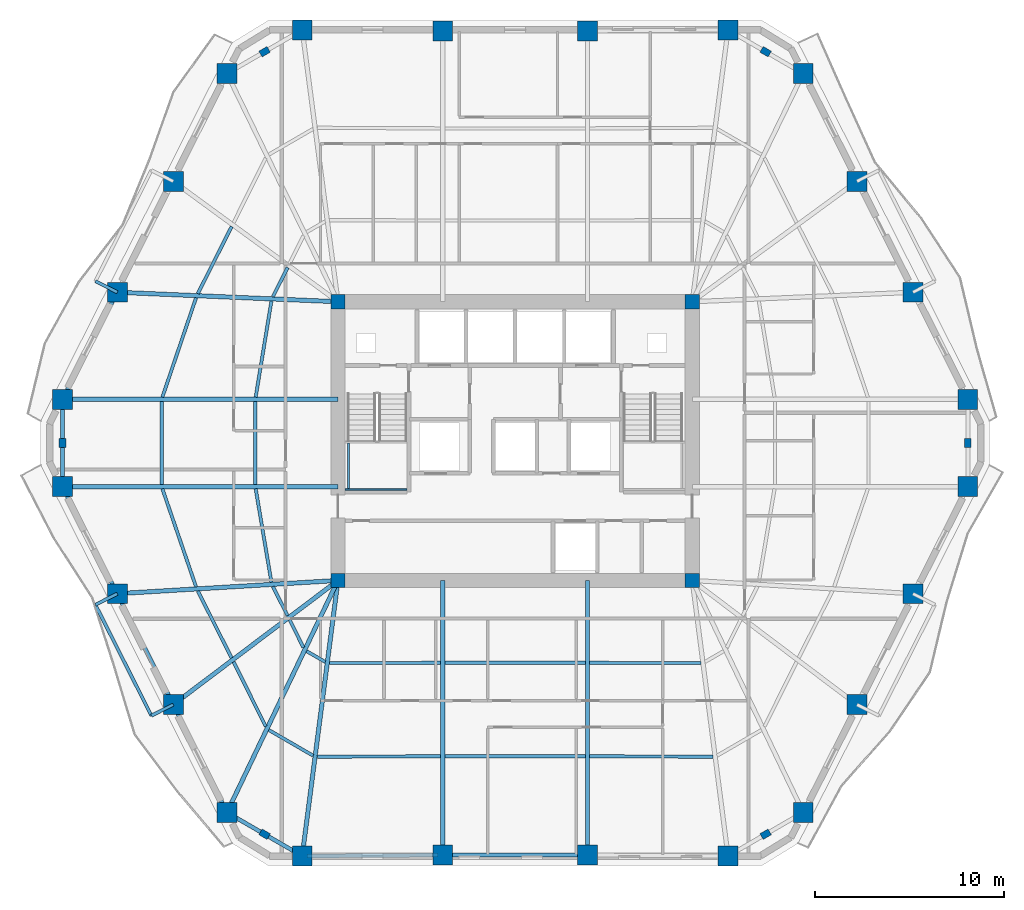
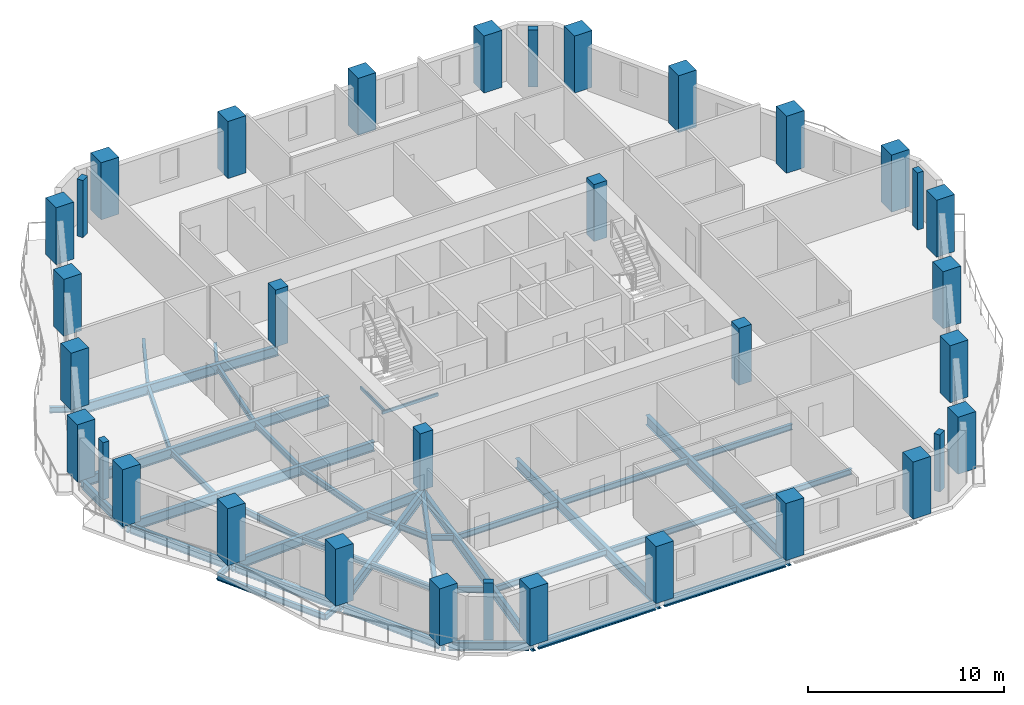
# One storey, part 1 of 11: 43 beams, 34 columns.
"""IFC4 building model written with IfcOpenShell, lengths in metres."""

import ifcopenshell
import ifcopenshell.guid

model = None  # the IFC model being written
_history = None  # IfcOwnerHistory: only IFC2X3 demands one
_inside = {}  # id of a spatial element -> (the spatial element, [elements in it])
_under = {}  # id of a project, library or spatial element -> (it, [spatial elements below it])
_declared = {}  # id of a project -> (the project, [libraries it declares])
_typed = {}  # id of a type object -> (the type object, [elements of that type])
_made_of = {}  # id of a material, layer set ... -> (it, [elements and type objects made of it])


def new_model(schema):
    """Start an empty IFC model of exactly this schema.

    Asked for "IFC4X3", IfcOpenShell would pick the latest addendum, in which some entities
    have other attributes; the version numbers below select the first issue.
    IFC2X3 requires an IfcOwnerHistory on every rooted entity: one is made here for all.
    """
    global model, _history
    if schema == "IFC4X3":
        model = ifcopenshell.file(schema_version=(4, 3, 0, 0))
    else:
        model = ifcopenshell.file(schema=schema)
    _inside.clear()
    _under.clear()
    _declared.clear()
    _typed.clear()
    _made_of.clear()
    _history = None
    if model.schema == "IFC2X3":
        org = make("IfcOrganization", Name="unknown")
        user = make(
            "IfcPersonAndOrganization",
            ThePerson=make("IfcPerson", FamilyName="unknown"),
            TheOrganization=org,
        )
        app = make(
            "IfcApplication",
            ApplicationDeveloper=org,
            Version="unknown",
            ApplicationFullName="unknown",
            ApplicationIdentifier="unknown",
        )
        _history = make(
            "IfcOwnerHistory",
            OwningUser=user,
            OwningApplication=app,
            ChangeAction="ADDED",
            CreationDate=0,
        )
    return model


def make(cls, **values):
    """One entity of the class cls with the attributes given. An attribute that is None is left unset."""
    return model.create_entity(
        cls, **{name: value for name, value in values.items() if value is not None}
    )


def rooted(cls, **values):
    """An entity with a GlobalId (a new one), such as an element, a storey or a relation."""
    return make(cls, GlobalId=ifcopenshell.guid.new(), OwnerHistory=_history, **values)


def si_unit(unit_type, name, prefix=None):
    """IfcSIUnit, for example si_unit("LENGTHUNIT", "METRE", prefix="MILLI")."""
    return make("IfcSIUnit", UnitType=unit_type, Prefix=prefix, Name=name)


def assignment(units):
    """IfcUnitAssignment: the units of a project."""
    return None if units is None else make("IfcUnitAssignment", Units=units)


def point(xyz):
    """IfcCartesianPoint."""
    return None if xyz is None else make("IfcCartesianPoint", Coordinates=xyz)


def direction(xyz):
    """IfcDirection."""
    return None if xyz is None else make("IfcDirection", DirectionRatios=xyz)


def frame(location, z_axis=None, x_axis=None):
    """IfcAxis2Placement3D, a coordinate frame: its origin and axes. An axis left out is left unset."""
    return make(
        "IfcAxis2Placement3D",
        Location=point(location),
        Axis=direction(z_axis),
        RefDirection=direction(x_axis),
    )


def frame_2d(location, x_axis=None):
    """IfcAxis2Placement2D, a coordinate frame in the plane: its origin and x axis."""
    return make(
        "IfcAxis2Placement2D", Location=point(location), RefDirection=direction(x_axis)
    )


def origin():
    """The frame at (0, 0, 0) with its axes left unset."""
    return frame((0.0, 0.0, 0.0))


def origin_2d():
    """The frame at (0, 0) in the plane with its x axis left unset."""
    return frame_2d((0.0, 0.0))


def place(relative_to, where):
    """IfcLocalPlacement: puts the frame where relative to a parent placement (None: the world)."""
    return make(
        "IfcLocalPlacement", PlacementRelTo=relative_to, RelativePlacement=where
    )


def context(
    kind, dimensions, precision=None, world=None, true_north=None, identifier=None
):
    """IfcGeometricRepresentationContext, for example the 3D "Model" context."""
    return make(
        "IfcGeometricRepresentationContext",
        ContextIdentifier=identifier,
        ContextType=kind,
        CoordinateSpaceDimension=dimensions,
        Precision=precision,
        WorldCoordinateSystem=world,
        TrueNorth=true_north,
    )


def subcontext(parent, identifier, kind, view, scale=None):
    """IfcGeometricRepresentationSubContext, for example "Body" below "Model"."""
    return make(
        "IfcGeometricRepresentationSubContext",
        ContextIdentifier=identifier,
        ContextType=kind,
        ParentContext=parent,
        TargetScale=scale,
        TargetView=view,
    )


def project(units=None, contexts=None):
    """IfcProject with its units and contexts."""
    return rooted(
        "IfcProject",
        Name="project",
        RepresentationContexts=contexts,
        UnitsInContext=assignment(units),
    )


def spatial(cls, under=None, at=None, **own):
    """A site, building, storey or space (cls), placed at a placement, below another one or the project."""
    s = rooted(cls, ObjectPlacement=at, **own)
    if under is not None:
        _under.setdefault(under.id(), (under, []))[1].append(s)
    return s


def profile(cls, at=None, kind="AREA", **sizes):
    """A parametric profile (cls). Its sizes go by their IFC names, for example OverallWidth=200.0."""
    return make(cls, ProfileType=kind, Position=at, **sizes)


def rectangle(**sizes):
    """IfcRectangleProfileDef."""
    return profile("IfcRectangleProfileDef", **sizes)


def hollow_rectangle(**sizes):
    """IfcRectangleHollowProfileDef."""
    return profile("IfcRectangleHollowProfileDef", **sizes)


def i_section(**sizes):
    """IfcIShapeProfileDef."""
    return profile("IfcIShapeProfileDef", **sizes)


def extrude(swept, where, along, depth):
    """IfcExtrudedAreaSolid: the profile swept, set in the frame where, extruded along a direction by depth."""
    return make(
        "IfcExtrudedAreaSolid",
        SweptArea=swept,
        Position=where,
        ExtrudedDirection=direction(along),
        Depth=depth,
    )


def shape(context_of_items, identifier, shape_type, items):
    """IfcShapeRepresentation: the items that make up one representation, for example the "Body"."""
    return make(
        "IfcShapeRepresentation",
        ContextOfItems=context_of_items,
        RepresentationIdentifier=identifier,
        RepresentationType=shape_type,
        Items=items,
    )


def material(Name=None, Category=None):
    """IfcMaterial."""
    return make("IfcMaterial", Name=Name, Category=Category)


def material_profile(
    of_material, cross_section, Name=None, Category=None, Priority=None
):
    """IfcMaterialProfile: a cross section and its material."""
    return make(
        "IfcMaterialProfile",
        Name=Name,
        Material=of_material,
        Profile=cross_section,
        Priority=Priority,
        Category=Category,
    )


def profile_set(profiles, Name=None, composite=None):
    """IfcMaterialProfileSet."""
    return make(
        "IfcMaterialProfileSet",
        Name=Name,
        MaterialProfiles=profiles,
        CompositeProfile=composite,
    )


def made_of(thing, what):
    """Note that an element or type object is made of a material, layer set ...; save() writes the relation."""
    if what is not None:
        _made_of.setdefault(what.id(), (what, []))[1].append(thing)
    return thing


def type_object(cls, material=None, **own):
    """A type object (cls), such as IfcWallType, which elements share."""
    return made_of(rooted(cls, **own), material)


def element(
    cls,
    number,
    at=None,
    inside=None,
    cuts=None,
    type_object=None,
    material=None,
    context=None,
    identifier="Body",
    shape_type=None,
    held_by="IfcProductDefinitionShape",
    body=None,
    shapes=None,
    **own,
):
    """One element of the class cls, such as IfcWall. Its Tag is "e" and its number.

    at: its placement. inside: the storey or other place that contains it. cuts: it is an
    opening in that element (IfcRelVoidsElement). A single representation is given by context,
    identifier, shape_type and body (its items); several are given by shapes. held_by: the class
    of the entity that holds the representations. save() writes the other relations.
    """
    e = rooted(cls, Tag="e%d" % number, ObjectPlacement=at, **own)
    if body is not None:
        shapes = [shape(context, identifier, shape_type, body)]
    if shapes is not None:
        e.Representation = make(held_by, Representations=shapes)
    if inside is not None:
        _inside.setdefault(inside.id(), (inside, []))[1].append(e)
    if cuts is not None:
        rooted(
            "IfcRelVoidsElement", RelatingBuildingElement=cuts, RelatedOpeningElement=e
        )
    if type_object is not None:
        _typed.setdefault(type_object.id(), (type_object, []))[1].append(e)
    return made_of(e, material)


def aggregate(whole, parts):
    """IfcRelAggregates: a whole, such as a stair, and the parts it consists of."""
    return rooted("IfcRelAggregates", RelatingObject=whole, RelatedObjects=parts)


def save(model, path):
    """Write the relations noted so far, then the file.

    IfcRelAggregates (storeys below a building ...), IfcRelContainedInSpatialStructure (elements
    in a storey), IfcRelDefinesByType, IfcRelAssociatesMaterial and IfcRelDeclares: one each for
    every whole, place, type object, material and project.
    """
    for whole, parts in _under.values():
        aggregate(whole, parts)
    for where, things in _inside.values():
        rooted(
            "IfcRelContainedInSpatialStructure",
            RelatedElements=things,
            RelatingStructure=where,
        )
    for kind, things in _typed.values():
        rooted("IfcRelDefinesByType", RelatedObjects=things, RelatingType=kind)
    for what, things in _made_of.values():
        rooted("IfcRelAssociatesMaterial", RelatedObjects=things, RelatingMaterial=what)
    for by, libraries in _declared.values():
        rooted("IfcRelDeclares", RelatingContext=by, RelatedDefinitions=libraries)
    model.write(path)


model = new_model("IFC4")

# Units and contexts
model_context = context("Model", 3, precision=1e-05, world=origin(), true_north=direction((0.0, 1.0)))
body_context = subcontext(model_context, "Body", "Model", "MODEL_VIEW")
ifc_project = project(units=[si_unit("LENGTHUNIT", "METRE"), si_unit("AREAUNIT", "SQUARE_METRE"), si_unit("VOLUMEUNIT", "CUBIC_METRE"), si_unit("PLANEANGLEUNIT", "RADIAN"), si_unit("MASSUNIT", "GRAM", prefix="KILO")], contexts=[model_context])

# Site, building, storey
site_placement = place(None, origin())
site = spatial("IfcSite", under=ifc_project, at=site_placement, CompositionType="ELEMENT")
building_placement = place(site_placement, origin())
building = spatial("IfcBuilding", under=site, at=building_placement, Name="Cinnabar Lancet Tower", CompositionType="ELEMENT")
storey_placement = place(building_placement, frame((0.0, 0.0, 144.550048828125)))
storey = spatial("IfcBuildingStorey", under=building, at=storey_placement, Name="L38", CompositionType="ELEMENT", Elevation=144.550048828125)

# Columns
ifc_material_1 = material(Name="Concrete C70/85", Category="concrete")
ifc_material_profile_1 = material_profile(ifc_material_1, rectangle(XDim=0.75, YDim=0.75, at=origin_2d()), Name="RC-COL 750x750")
ifc_profile_set_1 = profile_set([ifc_material_profile_1], Name="Concrete C70/85")
column_type_1 = type_object("IfcColumnType", Name="STR-COL-CORE-750", PredefinedType="COLUMN", material=ifc_profile_set_1)
for number, where, z_axis, x_axis, name in (
    (1, (23.02490234375, 18.52490234375, 0.0), (0.0, 0.0, 1.0), (1.0, 0.0, 0.0), "L38 Core Corner Column SW"),
    (2, (41.77490234375, 18.52490234375, 0.0), (0.0, 0.0, 1.0), (1.0, 0.0, 0.0), "L38 Core Corner Column SE"),
    (3, (41.77490234375, 33.27490234375, 0.0), (0.0, 0.0, 1.0), (1.0, 0.0, 0.0), "L38 Core Corner Column NE"),
    (4, (23.02490234375, 33.27490234375, 0.0), (0.0, 0.0, 1.0), (1.0, 0.0, 0.0), "L38 Core Corner Column NW"),
):
    element("IfcColumn", number, at=place(storey_placement, frame(where, z_axis=z_axis, x_axis=x_axis)), inside=storey, type_object=column_type_1, Name=name, PredefinedType="COLUMN", context=body_context, shape_type="SweptSolid", body=[
        extrude(rectangle(XDim=0.75, YDim=0.75, at=origin_2d()), origin(), (0.0, 0.0, 1.0), 3.550048828125),
    ])
ifc_material_2 = material(Name="Concrete C60/75", Category="concrete")
ifc_material_profile_2 = material_profile(ifc_material_2, rectangle(XDim=0.5, YDim=0.35009765625, at=origin_2d()), Name="RC-PIL 500x350")
ifc_profile_set_2 = profile_set([ifc_material_profile_2], Name="Concrete C60/75")
column_type_2 = type_object("IfcColumnType", Name="STR-COL-PIL-500", PredefinedType="PILASTER", material=ifc_profile_set_2)
for number, where, z_axis, x_axis, name in (
    (5, (19.14111328125, 5.093017578125, 0.0), (0.0, 0.0, 1.0), (0.865160173452, -0.501495637342, 0.0), "L38 Chamfered Corner Pilaster 1"),
    (6, (45.658935546875, 5.093017578125, 0.0), (0.0, 0.0, 1.0), (0.865160173452, 0.501495637342, 0.0), "L38 Chamfered Corner Pilaster 2"),
    (7, (56.35693359375, 25.800048828125, 0.0), (0.0, 0.0, 1.0), (0.0, 1.0, 0.0), "L38 Chamfered Corner Pilaster 3"),
    (8, (45.658935546875, 46.508056640625, 0.0), (0.0, 0.0, 1.0), (-0.865160173452, 0.501495637342, 0.0), "L38 Chamfered Corner Pilaster 4"),
    (9, (19.14111328125, 46.508056640625, 0.0), (0.0, 0.0, 1.0), (-0.865160173452, -0.501495637342, 0.0), "L38 Chamfered Corner Pilaster 5"),
    (10, (8.443115234375, 25.800048828125, 0.0), (0.0, 0.0, 1.0), (0.0, -1.0, 0.0), "L38 Chamfered Corner Pilaster 6"),
):
    element("IfcColumn", number, at=place(storey_placement, frame(where, z_axis=z_axis, x_axis=x_axis)), inside=storey, type_object=column_type_2, Name=name, PredefinedType="PILASTER", context=body_context, shape_type="SweptSolid", body=[
        extrude(rectangle(XDim=0.5, YDim=0.35009765625, at=origin_2d()), origin(), (0.0, 0.0, 1.0), 3.550048828125),
    ])
ifc_material_3 = material(Name="Concrete C70/85", Category="concrete")
ifc_material_profile_3 = material_profile(ifc_material_3, rectangle(XDim=1.050048828125, YDim=1.050048828125, at=origin_2d()), Name="RC-COL 1050x1050")
ifc_profile_set_3 = profile_set([ifc_material_profile_3], Name="Concrete C70/85")
column_type_3 = type_object("IfcColumnType", Name="STR-COL-TUBE-1050", PredefinedType="COLUMN", material=ifc_profile_set_3)
for number, where, z_axis, x_axis, name in (
    (11, (21.131103515625, 3.93896484375, 0.0), (0.0, 0.0, 1.0), (1.0, 0.0, 0.0), "L38 Perimeter Tube Column 1"),
    (12, (28.568115234375, 3.991943359375, 0.0), (0.0, 0.0, 1.0), (1.0, 0.0, 0.0), "L38 Perimeter Tube Column 2"),
    (13, (36.23193359375, 3.991943359375, 0.0), (0.0, 0.0, 1.0), (1.0, 0.0, 0.0), "L38 Perimeter Tube Column 3"),
    (14, (43.6689453125, 3.93896484375, 0.0), (0.0, 0.0, 1.0), (1.0, 0.0, 0.0), "L38 Perimeter Tube Column 4"),
    (15, (47.64892578125, 6.24609375, 0.0), (0.0, 0.0, 1.0), (1.0, 0.0, 0.0), "L38 Perimeter Tube Column 5"),
    (16, (50.489013671875, 11.955078125, 0.0), (0.0, 0.0, 1.0), (1.0, 0.0, 0.0), "L38 Perimeter Tube Column 6"),
    (17, (53.451904296875, 17.823974609375, 0.0), (0.0, 0.0, 1.0), (1.0, 0.0, 0.0), "L38 Perimeter Tube Column 7"),
    (18, (56.35693359375, 23.490966796875, 0.0), (0.0, 0.0, 1.0), (1.0, 0.0, 0.0), "L38 Perimeter Tube Column 8"),
    (19, (56.35693359375, 28.10888671875, 0.0), (0.0, 0.0, 1.0), (1.0, 0.0, 0.0), "L38 Perimeter Tube Column 9"),
    (20, (53.451904296875, 33.77587890625, 0.0), (0.0, 0.0, 1.0), (1.0, 0.0, 0.0), "L38 Perimeter Tube Column 10"),
    (21, (50.489013671875, 39.64501953125, 0.0), (0.0, 0.0, 1.0), (1.0, 0.0, 0.0), "L38 Perimeter Tube Column 11"),
    (22, (47.64892578125, 45.35400390625, 0.0), (0.0, 0.0, 1.0), (1.0, 0.0, 0.0), "L38 Perimeter Tube Column 12"),
    (23, (43.6689453125, 47.660888671875, 0.0), (0.0, 0.0, 1.0), (1.0, 0.0, 0.0), "L38 Perimeter Tube Column 13"),
    (24, (36.23193359375, 47.60791015625, 0.0), (0.0, 0.0, 1.0), (1.0, 0.0, 0.0), "L38 Perimeter Tube Column 14"),
    (25, (28.568115234375, 47.60791015625, 0.0), (0.0, 0.0, 1.0), (1.0, 0.0, 0.0), "L38 Perimeter Tube Column 15"),
    (26, (21.131103515625, 47.660888671875, 0.0), (0.0, 0.0, 1.0), (1.0, 0.0, 0.0), "L38 Perimeter Tube Column 16"),
    (27, (17.15087890625, 45.35400390625, 0.0), (0.0, 0.0, 1.0), (1.0, 0.0, 0.0), "L38 Perimeter Tube Column 17"),
    (28, (14.31103515625, 39.64501953125, 0.0), (0.0, 0.0, 1.0), (1.0, 0.0, 0.0), "L38 Perimeter Tube Column 18"),
    (29, (11.347900390625, 33.77587890625, 0.0), (0.0, 0.0, 1.0), (1.0, 0.0, 0.0), "L38 Perimeter Tube Column 19"),
    (30, (8.443115234375, 28.10888671875, 0.0), (0.0, 0.0, 1.0), (1.0, 0.0, 0.0), "L38 Perimeter Tube Column 20"),
    (31, (8.443115234375, 23.490966796875, 0.0), (0.0, 0.0, 1.0), (1.0, 0.0, 0.0), "L38 Perimeter Tube Column 21"),
    (32, (11.347900390625, 17.823974609375, 0.0), (0.0, 0.0, 1.0), (1.0, 0.0, 0.0), "L38 Perimeter Tube Column 22"),
    (33, (14.31103515625, 11.955078125, 0.0), (0.0, 0.0, 1.0), (1.0, 0.0, 0.0), "L38 Perimeter Tube Column 23"),
    (34, (17.15087890625, 6.24609375, 0.0), (0.0, 0.0, 1.0), (1.0, 0.0, 0.0), "L38 Perimeter Tube Column 24"),
):
    element("IfcColumn", number, at=place(storey_placement, frame(where, z_axis=z_axis, x_axis=x_axis)), inside=storey, type_object=column_type_3, Name=name, PredefinedType="COLUMN", context=body_context, shape_type="SweptSolid", body=[
        extrude(rectangle(XDim=1.050048828125, YDim=1.050048828125, at=origin_2d()), origin(), (0.0, 0.0, 1.0), 3.550048828125),
    ])

# Beams
ifc_material_4 = material(Name="Structural steel S355", Category="steel")
ifc_material_profile_4 = material_profile(ifc_material_4, i_section(OverallWidth=0.17138671875, OverallDepth=0.35498046875, WebThickness=0.00732421875, FlangeThickness=0.011474609375, FilletRadius=0.01025390625, at=origin_2d()), Name="UKB 356x171x51")
ifc_profile_set_4 = profile_set([ifc_material_profile_4], Name="Structural steel S355")
beam_type_1 = type_object("IfcBeamType", Name="STR-BM-JST-356", PredefinedType="JOIST", material=ifc_profile_set_4)
beam_1_placement = place(storey_placement, frame((13.73193359375, 23.376953125, -0.387939453125), z_axis=(0.324639458548, -0.945837841257, 0.0), x_axis=(0.945837841257, 0.324639458548, 0.0)))
element("IfcBeam", 35, at=beam_1_placement, inside=storey, type_object=beam_type_1, Name="L38 Secondary Floor Joist 1", PredefinedType="JOIST", context=body_context, shape_type="SweptSolid", body=[
    extrude(i_section(OverallWidth=0.17138671875, OverallDepth=0.35498046875, WebThickness=0.00732421875, FlangeThickness=0.011474609375, FilletRadius=0.01025390625, at=origin_2d()), origin(), (0.0, 0.0, 1.0), 5.486083984375),
])
beam_2_placement = place(storey_placement, frame((18.669921875, 23.376953125, -0.387939453125), z_axis=(0.165984412241, -0.986128376477, 0.0), x_axis=(0.986128376477, 0.165984412241, 0.0)))
element("IfcBeam", 36, at=beam_2_placement, inside=storey, type_object=beam_type_1, Name="L38 Secondary Floor Joist 2", PredefinedType="JOIST", context=body_context, shape_type="SweptSolid", body=[
    extrude(i_section(OverallWidth=0.17138671875, OverallDepth=0.35498046875, WebThickness=0.00732421875, FlangeThickness=0.011474609375, FilletRadius=0.01025390625, at=origin_2d()), origin(), (0.0, 0.0, 1.0), 5.0185546875),
])
beam_3_placement = place(storey_placement, frame((15.60791015625, 17.965087890625, -0.387939453125), z_axis=(0.450755070916, -0.892647671841, 0.0), x_axis=(0.892647671841, 0.450755070916, 0.0)))
element("IfcBeam", 37, at=beam_3_placement, inside=storey, type_object=beam_type_1, Name="L38 Secondary Floor Joist 3", PredefinedType="JOIST", context=body_context, shape_type="SweptSolid", body=[
    extrude(i_section(OverallWidth=0.17138671875, OverallDepth=0.35498046875, WebThickness=0.00732421875, FlangeThickness=0.011474609375, FilletRadius=0.01025390625, at=origin_2d()), origin(), (0.0, 0.0, 1.0), 3.966796875),
])
beam_4_placement = place(storey_placement, frame((19.577880859375, 18.2041015625, -0.387939453125), z_axis=(0.450874341268, -0.892587434589, 0.0), x_axis=(0.892587434589, 0.450874341268, 0.0)))
element("IfcBeam", 38, at=beam_4_placement, inside=storey, type_object=beam_type_1, Name="L38 Secondary Floor Joist 4", PredefinedType="JOIST", context=body_context, shape_type="SweptSolid", body=[
    extrude(i_section(OverallWidth=0.17138671875, OverallDepth=0.35498046875, WebThickness=0.00732421875, FlangeThickness=0.011474609375, FilletRadius=0.01025390625, at=origin_2d()), origin(), (0.0, 0.0, 1.0), 1.732177734375),
])
beam_5_placement = place(storey_placement, frame((17.5, 14.216064453125, -0.387939453125), z_axis=(0.445295120803, -0.895383859241, 0.0), x_axis=(0.895383859241, 0.445295120803, 0.0)))
element("IfcBeam", 39, at=beam_5_placement, inside=storey, type_object=beam_type_1, Name="L38 Secondary Floor Joist 5", PredefinedType="JOIST", context=body_context, shape_type="SweptSolid", body=[
    extrude(i_section(OverallWidth=0.17138671875, OverallDepth=0.35498046875, WebThickness=0.00732421875, FlangeThickness=0.011474609375, FilletRadius=0.01025390625, at=origin_2d()), origin(), (0.0, 0.0, 1.0), 3.81982421875),
])
beam_6_placement = place(storey_placement, frame((20.4619140625, 16.449951171875, -0.387939453125), z_axis=(0.445557690111, -0.895253229418, 0.0), x_axis=(0.895253229418, 0.445557690111, 0.0)))
element("IfcBeam", 40, at=beam_6_placement, inside=storey, type_object=beam_type_1, Name="L38 Secondary Floor Joist 6", PredefinedType="JOIST", context=body_context, shape_type="SweptSolid", body=[
    extrude(i_section(OverallWidth=0.17138671875, OverallDepth=0.35498046875, WebThickness=0.00732421875, FlangeThickness=0.011474609375, FilletRadius=0.01025390625, at=origin_2d()), origin(), (0.0, 0.0, 1.0), 1.652099609375),
])
beam_7_placement = place(storey_placement, frame((19.364990234375, 10.60888671875, -0.387939453125), z_axis=(0.865172906898, -0.501473669469, 0.0), x_axis=(0.501473669469, 0.865172906898, 0.0)))
element("IfcBeam", 41, at=beam_7_placement, inside=storey, type_object=beam_type_1, Name="L38 Secondary Floor Joist 7", PredefinedType="JOIST", context=body_context, shape_type="SweptSolid", body=[
    extrude(i_section(OverallWidth=0.17138671875, OverallDepth=0.35498046875, WebThickness=0.00732421875, FlangeThickness=0.011474609375, FilletRadius=0.01025390625, at=origin_2d()), origin(), (0.0, 0.0, 1.0), 2.705810546875),
])
beam_8_placement = place(storey_placement, frame((21.362060546875, 14.783935546875, -0.387939453125), z_axis=(0.865055308165, -0.501676503154, 0.0), x_axis=(0.501676503154, 0.865055308165, 0.0)))
element("IfcBeam", 42, at=beam_8_placement, inside=storey, type_object=beam_type_1, Name="L38 Secondary Floor Joist 8", PredefinedType="JOIST", context=body_context, shape_type="SweptSolid", body=[
    extrude(i_section(OverallWidth=0.17138671875, OverallDepth=0.35498046875, WebThickness=0.00732421875, FlangeThickness=0.011474609375, FilletRadius=0.01025390625, at=origin_2d()), origin(), (0.0, 0.0, 1.0), 1.14208984375),
])
beam_9_placement = place(storey_placement, frame((21.927978515625, 9.19091796875, -0.387939453125), z_axis=(0.999987991898, 0.004900618269, 0.0), x_axis=(-0.004900618269, 0.999987991898, 0.0)))
element("IfcBeam", 43, at=beam_9_placement, inside=storey, type_object=beam_type_1, Name="L38 Secondary Floor Joist 9", PredefinedType="JOIST", context=body_context, shape_type="SweptSolid", body=[
    extrude(i_section(OverallWidth=0.17138671875, OverallDepth=0.35498046875, WebThickness=0.00732421875, FlangeThickness=0.011474609375, FilletRadius=0.01025390625, at=origin_2d()), origin(), (0.0, 0.0, 1.0), 6.526123046875),
])
beam_10_placement = place(storey_placement, frame((22.572021484375, 14.14892578125, -0.387939453125), z_axis=(0.999996247906, 0.002739374605, 0.0), x_axis=(-0.002739374605, 0.999996247906, 0.0)))
element("IfcBeam", 44, at=beam_10_placement, inside=storey, type_object=beam_type_1, Name="L38 Secondary Floor Joist 10", PredefinedType="JOIST", context=body_context, shape_type="SweptSolid", body=[
    extrude(i_section(OverallWidth=0.17138671875, OverallDepth=0.35498046875, WebThickness=0.00732421875, FlangeThickness=0.011474609375, FilletRadius=0.01025390625, at=origin_2d()), origin(), (0.0, 0.0, 1.0), 5.882080078125),
])
for number, where, z_axis, x_axis, name in (
    (45, (28.681884765625, 9.22412109375, -0.387939453125), (1.0, 0.0, 0.0), (0.0, 1.0, 0.0), "L38 Secondary Floor Joist 11"),
    (46, (28.681884765625, 14.1650390625, -0.387939453125), (1.0, 0.0, 0.0), (0.0, 1.0, 0.0), "L38 Secondary Floor Joist 12"),
):
    element("IfcBeam", number, at=place(storey_placement, frame(where, z_axis=z_axis, x_axis=x_axis)), inside=storey, type_object=beam_type_1, Name=name, PredefinedType="JOIST", context=body_context, shape_type="SweptSolid", body=[
        extrude(i_section(OverallWidth=0.17138671875, OverallDepth=0.35498046875, WebThickness=0.00732421875, FlangeThickness=0.011474609375, FilletRadius=0.01025390625, at=origin_2d()), origin(), (0.0, 0.0, 1.0), 7.43603515625),
    ])
beam_11_placement = place(storey_placement, frame((36.345947265625, 9.222900390625, -0.387939453125), z_axis=(0.999987991898, -0.004900618269, 0.0), x_axis=(0.004900618269, 0.999987991898, 0.0)))
element("IfcBeam", 47, at=beam_11_placement, inside=storey, type_object=beam_type_1, Name="L38 Secondary Floor Joist 13", PredefinedType="JOIST", context=body_context, shape_type="SweptSolid", body=[
    extrude(i_section(OverallWidth=0.17138671875, OverallDepth=0.35498046875, WebThickness=0.00732421875, FlangeThickness=0.011474609375, FilletRadius=0.01025390625, at=origin_2d()), origin(), (0.0, 0.0, 1.0), 6.526123046875),
])
beam_12_placement = place(storey_placement, frame((36.345947265625, 14.1650390625, -0.387939453125), z_axis=(0.999996247906, -0.002739374605, 0.0), x_axis=(0.002739374605, 0.999996247906, 0.0)))
element("IfcBeam", 48, at=beam_12_placement, inside=storey, type_object=beam_type_1, Name="L38 Secondary Floor Joist 14", PredefinedType="JOIST", context=body_context, shape_type="SweptSolid", body=[
    extrude(i_section(OverallWidth=0.17138671875, OverallDepth=0.35498046875, WebThickness=0.00732421875, FlangeThickness=0.011474609375, FilletRadius=0.01025390625, at=origin_2d()), origin(), (0.0, 0.0, 1.0), 5.882080078125),
])
beam_13_placement = place(storey_placement, frame((17.39599609375, 37.2490234375, -0.387939453125), z_axis=(-0.450656035687, -0.892697674187, 0.0), x_axis=(0.892697674187, -0.450656035687, 0.0)))
element("IfcBeam", 49, at=beam_13_placement, inside=storey, type_object=beam_type_1, Name="L38 Secondary Floor Joist 43", PredefinedType="JOIST", context=body_context, shape_type="SweptSolid", body=[
    extrude(i_section(OverallWidth=0.17138671875, OverallDepth=0.35498046875, WebThickness=0.00732421875, FlangeThickness=0.011474609375, FilletRadius=0.01025390625, at=origin_2d()), origin(), (0.0, 0.0, 1.0), 3.9677734375),
])
beam_14_placement = place(storey_placement, frame((20.35888671875, 35.0830078125, -0.387939453125), z_axis=(-0.450931068976, -0.892558777354, 0.0), x_axis=(0.892558777354, -0.450931068976, 0.0)))
element("IfcBeam", 50, at=beam_14_placement, inside=storey, type_object=beam_type_1, Name="L38 Secondary Floor Joist 44", PredefinedType="JOIST", context=body_context, shape_type="SweptSolid", body=[
    extrude(i_section(OverallWidth=0.17138671875, OverallDepth=0.35498046875, WebThickness=0.00732421875, FlangeThickness=0.011474609375, FilletRadius=0.01025390625, at=origin_2d()), origin(), (0.0, 0.0, 1.0), 1.73193359375),
])
beam_15_placement = place(storey_placement, frame((15.513916015625, 33.48291015625, -0.387939453125), z_axis=(-0.321023911172, -0.947071089442, 0.0), x_axis=(0.947071089442, -0.321023911172, 0.0)))
element("IfcBeam", 51, at=beam_15_placement, inside=storey, type_object=beam_type_1, Name="L38 Secondary Floor Joist 45", PredefinedType="JOIST", context=body_context, shape_type="SweptSolid", body=[
    extrude(i_section(OverallWidth=0.17138671875, OverallDepth=0.35498046875, WebThickness=0.00732421875, FlangeThickness=0.011474609375, FilletRadius=0.01025390625, at=origin_2d()), origin(), (0.0, 0.0, 1.0), 5.553955078125),
])
beam_16_placement = place(storey_placement, frame((19.5029296875, 33.31201171875, -0.387939453125), z_axis=(-0.161719098977, -0.986836832017, 0.0), x_axis=(0.986836832017, -0.161719098977, 0.0)))
element("IfcBeam", 52, at=beam_16_placement, inside=storey, type_object=beam_type_1, Name="L38 Secondary Floor Joist 46", PredefinedType="JOIST", context=body_context, shape_type="SweptSolid", body=[
    extrude(i_section(OverallWidth=0.17138671875, OverallDepth=0.35498046875, WebThickness=0.00732421875, FlangeThickness=0.011474609375, FilletRadius=0.01025390625, at=origin_2d()), origin(), (0.0, 0.0, 1.0), 5.156982421875),
])
for number, where, z_axis, x_axis, name in (
    (53, (13.693115234375, 27.9951171875, -0.387939453125), (0.0, -1.0, 0.0), (1.0, 0.0, 0.0), "L38 Secondary Floor Joist 47"),
    (54, (18.64990234375, 27.9951171875, -0.387939453125), (0.0, -1.0, 0.0), (1.0, 0.0, 0.0), "L38 Secondary Floor Joist 48"),
):
    element("IfcBeam", number, at=place(storey_placement, frame(where, z_axis=z_axis, x_axis=x_axis)), inside=storey, type_object=beam_type_1, Name=name, PredefinedType="JOIST", context=body_context, shape_type="SweptSolid", body=[
        extrude(i_section(OverallWidth=0.17138671875, OverallDepth=0.35498046875, WebThickness=0.00732421875, FlangeThickness=0.011474609375, FilletRadius=0.01025390625, at=origin_2d()), origin(), (0.0, 0.0, 1.0), 4.39013671875),
    ])
ifc_material_5 = material(Name="Structural steel S355", Category="steel")
ifc_material_profile_5 = material_profile(ifc_material_5, hollow_rectangle(XDim=0.10009765625, YDim=0.199951171875, WallThickness=0.008056640625, InnerFilletRadius=0.00390625, OuterFilletRadius=0.011962890625, at=origin_2d()), Name="RHS 200x100x8")
ifc_profile_set_5 = profile_set([ifc_material_profile_5], Name="Structural steel S355")
beam_type_2 = type_object("IfcBeamType", Name="STR-BM-LND-203", PredefinedType="BEAM", material=ifc_profile_set_5)
beam_17_placement = place(storey_placement, frame((23.39990234375, 23.330078125, 1.474853515625), z_axis=(1.0, 0.0, 0.0), x_axis=(0.0, 1.0, 0.0)))
element("IfcBeam", 55, at=beam_17_placement, inside=storey, type_object=beam_type_2, Name="L38 ST-1-L38 Landing Support Beam S", PredefinedType="BEAM", context=body_context, shape_type="SweptSolid", body=[
    extrude(hollow_rectangle(XDim=0.10009765625, YDim=0.199951171875, WallThickness=0.008056640625, InnerFilletRadius=0.00390625, OuterFilletRadius=0.011962890625, at=origin_2d()), origin(), (0.0, 0.0, 1.0), 3.280029296875),
])
beam_18_placement = place(storey_placement, frame((23.580078125, 23.3798828125, 1.474853515625), z_axis=(0.0, 1.0, 0.0), x_axis=(-1.0, 0.0, 0.0)))
element("IfcBeam", 56, at=beam_18_placement, inside=storey, type_object=beam_type_2, Name="L38 ST-1-L38 Landing Side Trimmer Beam", PredefinedType="BEAM", context=body_context, shape_type="SweptSolid", body=[
    extrude(hollow_rectangle(XDim=0.10009765625, YDim=0.199951171875, WallThickness=0.008056640625, InnerFilletRadius=0.00390625, OuterFilletRadius=0.011962890625, at=origin_2d()), origin(), (0.0, 0.0, 1.0), 2.4150390625),
])
ifc_material_6 = material(Name="Structural steel S355", Category="steel")
ifc_material_profile_6 = material_profile(ifc_material_6, i_section(OverallWidth=0.209228515625, OverallDepth=0.533203125, WebThickness=0.010009765625, FlangeThickness=0.015625, FilletRadius=0.0126953125, at=origin_2d()), Name="UKB 533x210x92")
ifc_profile_set_6 = profile_set([ifc_material_profile_6], Name="Structural steel S355")
beam_type_3 = type_object("IfcBeamType", Name="STR-BM-SPN-533", PredefinedType="SPANDREL", material=ifc_profile_set_6)
beam_19_placement = place(storey_placement, frame((21.381103515625, 3.94091796875, -0.47705078125), z_axis=(0.999974980359, 0.007073800628, 0.0), x_axis=(-0.007073800628, 0.999974980359, 0.0)))
element("IfcBeam", 57, at=beam_19_placement, inside=storey, type_object=beam_type_3, Name="L38 Perimeter Spandrel 1", PredefinedType="SPANDREL", context=body_context, shape_type="SweptSolid", body=[
    extrude(i_section(OverallWidth=0.209228515625, OverallDepth=0.533203125, WebThickness=0.010009765625, FlangeThickness=0.015625, FilletRadius=0.0126953125, at=origin_2d()), origin(), (0.0, 0.0, 1.0), 6.937255859375),
])
beam_20_placement = place(storey_placement, frame((28.818115234375, 3.991943359375, -0.47705078125), z_axis=(1.0, 0.0, 0.0), x_axis=(0.0, 1.0, 0.0)))
element("IfcBeam", 58, at=beam_20_placement, inside=storey, type_object=beam_type_3, Name="L38 Perimeter Spandrel 2", PredefinedType="SPANDREL", context=body_context, shape_type="SweptSolid", body=[
    extrude(i_section(OverallWidth=0.209228515625, OverallDepth=0.533203125, WebThickness=0.010009765625, FlangeThickness=0.015625, FilletRadius=0.0126953125, at=origin_2d()), origin(), (0.0, 0.0, 1.0), 7.163818359375),
])
beam_21_placement = place(storey_placement, frame((11.23388671875, 33.553955078125, -0.47705078125), z_axis=(-0.456126618405, -0.889914888055, 0.0), x_axis=(0.889914888055, -0.456126618405, 0.0)))
element("IfcBeam", 59, at=beam_21_placement, inside=storey, type_object=beam_type_3, Name="L38 Perimeter Spandrel 19", PredefinedType="SPANDREL", context=body_context, shape_type="SweptSolid", body=[
    extrude(i_section(OverallWidth=0.209228515625, OverallDepth=0.533203125, WebThickness=0.010009765625, FlangeThickness=0.015625, FilletRadius=0.0126953125, at=origin_2d()), origin(), (0.0, 0.0, 1.0), 5.868896484375),
])
beam_22_placement = place(storey_placement, frame((8.443115234375, 27.85888671875, -0.47705078125), z_axis=(0.0, -1.0, 0.0), x_axis=(1.0, 0.0, 0.0)))
element("IfcBeam", 60, at=beam_22_placement, inside=storey, type_object=beam_type_3, Name="L38 Perimeter Spandrel 20", PredefinedType="SPANDREL", context=body_context, shape_type="SweptSolid", body=[
    extrude(i_section(OverallWidth=0.209228515625, OverallDepth=0.533203125, WebThickness=0.010009765625, FlangeThickness=0.015625, FilletRadius=0.0126953125, at=origin_2d()), origin(), (0.0, 0.0, 1.0), 4.117919921875),
])
beam_23_placement = place(storey_placement, frame((8.556884765625, 23.26904296875, -0.47705078125), z_axis=(0.456109733574, -0.889923542187, 0.0), x_axis=(0.889923542187, 0.456109733574, 0.0)))
element("IfcBeam", 61, at=beam_23_placement, inside=storey, type_object=beam_type_3, Name="L38 Perimeter Spandrel 21", PredefinedType="SPANDREL", context=body_context, shape_type="SweptSolid", body=[
    extrude(i_section(OverallWidth=0.209228515625, OverallDepth=0.533203125, WebThickness=0.010009765625, FlangeThickness=0.015625, FilletRadius=0.0126953125, at=origin_2d()), origin(), (0.0, 0.0, 1.0), 5.869140625),
])
beam_24_placement = place(storey_placement, frame((11.4609375, 17.60107421875, -0.47705078125), z_axis=(0.450570325924, -0.892740937449, 0.0), x_axis=(0.892740937449, 0.450570325924, 0.0)))
element("IfcBeam", 62, at=beam_24_placement, inside=storey, type_object=beam_type_3, Name="L38 Perimeter Spandrel 22", PredefinedType="SPANDREL", context=body_context, shape_type="SweptSolid", body=[
    extrude(i_section(OverallWidth=0.209228515625, OverallDepth=0.533203125, WebThickness=0.010009765625, FlangeThickness=0.015625, FilletRadius=0.0126953125, at=origin_2d()), origin(), (0.0, 0.0, 1.0), 6.07470703125),
])
beam_25_placement = place(storey_placement, frame((14.422119140625, 11.73095703125, -0.47705078125), z_axis=(0.445501068635, -0.89528140707, 0.0), x_axis=(0.89528140707, 0.445501068635, 0.0)))
element("IfcBeam", 63, at=beam_25_placement, inside=storey, type_object=beam_type_3, Name="L38 Perimeter Spandrel 23", PredefinedType="SPANDREL", context=body_context, shape_type="SweptSolid", body=[
    extrude(i_section(OverallWidth=0.209228515625, OverallDepth=0.533203125, WebThickness=0.010009765625, FlangeThickness=0.015625, FilletRadius=0.0126953125, at=origin_2d()), origin(), (0.0, 0.0, 1.0), 5.87646484375),
])
beam_26_placement = place(storey_placement, frame((17.366943359375, 6.12109375, -0.47705078125), z_axis=(0.865112299906, -0.501578217781, 0.0), x_axis=(0.501578217781, 0.865112299906, 0.0)))
element("IfcBeam", 64, at=beam_26_placement, inside=storey, type_object=beam_type_3, Name="L38 Perimeter Spandrel 24", PredefinedType="SPANDREL", context=body_context, shape_type="SweptSolid", body=[
    extrude(i_section(OverallWidth=0.209228515625, OverallDepth=0.533203125, WebThickness=0.010009765625, FlangeThickness=0.015625, FilletRadius=0.0126953125, at=origin_2d()), origin(), (0.0, 0.0, 1.0), 4.101318359375),
])
ifc_material_7 = material(Name="Structural steel S355", Category="steel")
ifc_material_profile_7 = material_profile(ifc_material_7, i_section(OverallWidth=0.228271484375, OverallDepth=0.607666015625, WebThickness=0.010986328125, FlangeThickness=0.017333984375, FilletRadius=0.0126953125, at=origin_2d()), Name="UKB 610x229x113")
ifc_profile_set_7 = profile_set([ifc_material_profile_7], Name="Structural steel S355")
beam_type_4 = type_object("IfcBeamType", Name="STR-BM-UKB610-113", PredefinedType="BEAM", material=ifc_profile_set_7)
beam_27_placement = place(storey_placement, frame((14.31103515625, 11.955078125, -0.51416015625), z_axis=(0.798483350078, 0.602016893158, 0.0), x_axis=(-0.602016893158, 0.798483350078, 0.0)))
element("IfcBeam", 65, at=beam_27_placement, inside=storey, type_object=beam_type_4, Name="L38 Corner Collector Girder 1", PredefinedType="BEAM", context=body_context, shape_type="SweptSolid", body=[
    extrude(i_section(OverallWidth=0.228271484375, OverallDepth=0.607666015625, WebThickness=0.010986328125, FlangeThickness=0.017333984375, FilletRadius=0.0126953125, at=origin_2d()), origin(), (0.0, 0.0, 1.0), 10.9130859375),
])
beam_28_placement = place(storey_placement, frame((21.131103515625, 3.93896484375, -0.51416015625), z_axis=(0.128756570002, 0.991676230269, 0.0), x_axis=(-0.991676230269, 0.128756570002, 0.0)))
element("IfcBeam", 66, at=beam_28_placement, inside=storey, type_object=beam_type_4, Name="L38 Primary Floor Girder 1", PredefinedType="BEAM", context=body_context, shape_type="SweptSolid", body=[
    extrude(i_section(OverallWidth=0.228271484375, OverallDepth=0.607666015625, WebThickness=0.010986328125, FlangeThickness=0.017333984375, FilletRadius=0.0126953125, at=origin_2d()), origin(), (0.0, 0.0, 1.0), 14.708251953125),
])
for number, where, z_axis, x_axis, name in (
    (67, (28.568115234375, 3.991943359375, -0.51416015625), (0.0, 1.0, 0.0), (-1.0, 0.0, 0.0), "L38 Primary Floor Girder 2"),
    (68, (36.23193359375, 3.991943359375, -0.51416015625), (0.0, 1.0, 0.0), (-1.0, 0.0, 0.0), "L38 Primary Floor Girder 3"),
):
    element("IfcBeam", number, at=place(storey_placement, frame(where, z_axis=z_axis, x_axis=x_axis)), inside=storey, type_object=beam_type_4, Name=name, PredefinedType="BEAM", context=body_context, shape_type="SweptSolid", body=[
        extrude(i_section(OverallWidth=0.228271484375, OverallDepth=0.607666015625, WebThickness=0.010986328125, FlangeThickness=0.017333984375, FilletRadius=0.0126953125, at=origin_2d()), origin(), (0.0, 0.0, 1.0), 14.532958984375),
    ])
beam_29_placement = place(storey_placement, frame((11.347900390625, 33.77587890625, -0.51416015625), z_axis=(0.999080941658, -0.042863411158, 0.0), x_axis=(0.042863411158, 0.999080941658, 0.0)))
element("IfcBeam", 69, at=beam_29_placement, inside=storey, type_object=beam_type_4, Name="L38 Primary Floor Girder 19", PredefinedType="BEAM", context=body_context, shape_type="SweptSolid", body=[
    extrude(i_section(OverallWidth=0.228271484375, OverallDepth=0.607666015625, WebThickness=0.010986328125, FlangeThickness=0.017333984375, FilletRadius=0.0126953125, at=origin_2d()), origin(), (0.0, 0.0, 1.0), 11.687744140625),
])
for number, where, z_axis, x_axis, name in (
    (70, (8.443115234375, 28.10888671875, -0.51416015625), (1.0, 0.0, 0.0), (0.0, 1.0, 0.0), "L38 Primary Floor Girder 20"),
    (71, (8.443115234375, 23.490966796875, -0.51416015625), (1.0, 0.0, 0.0), (0.0, 1.0, 0.0), "L38 Primary Floor Girder 21"),
):
    element("IfcBeam", number, at=place(storey_placement, frame(where, z_axis=z_axis, x_axis=x_axis)), inside=storey, type_object=beam_type_4, Name=name, PredefinedType="BEAM", context=body_context, shape_type="SweptSolid", body=[
        extrude(i_section(OverallWidth=0.228271484375, OverallDepth=0.607666015625, WebThickness=0.010986328125, FlangeThickness=0.017333984375, FilletRadius=0.0126953125, at=origin_2d()), origin(), (0.0, 0.0, 1.0), 14.581787109375),
    ])
beam_30_placement = place(storey_placement, frame((11.347900390625, 17.823974609375, -0.51416015625), z_axis=(0.998203272991, 0.059918492897, 0.0), x_axis=(-0.059918492897, 0.998203272991, 0.0)))
element("IfcBeam", 72, at=beam_30_placement, inside=storey, type_object=beam_type_4, Name="L38 Primary Floor Girder 22", PredefinedType="BEAM", context=body_context, shape_type="SweptSolid", body=[
    extrude(i_section(OverallWidth=0.228271484375, OverallDepth=0.607666015625, WebThickness=0.010986328125, FlangeThickness=0.017333984375, FilletRadius=0.0126953125, at=origin_2d()), origin(), (0.0, 0.0, 1.0), 11.697998046875),
])
beam_31_placement = place(storey_placement, frame((17.15087890625, 6.24609375, -0.51416015625), z_axis=(0.431548156881, 0.902089900339, 0.0), x_axis=(-0.902089900339, 0.431548156881, 0.0)))
element("IfcBeam", 73, at=beam_31_placement, inside=storey, type_object=beam_type_4, Name="L38 Primary Floor Girder 24", PredefinedType="BEAM", context=body_context, shape_type="SweptSolid", body=[
    extrude(i_section(OverallWidth=0.228271484375, OverallDepth=0.607666015625, WebThickness=0.010986328125, FlangeThickness=0.017333984375, FilletRadius=0.0126953125, at=origin_2d()), origin(), (0.0, 0.0, 1.0), 13.611572265625),
])
ifc_material_8 = material(Name="Structural steel S355", Category="steel")
ifc_material_profile_8 = material_profile(ifc_material_8, i_section(OverallWidth=0.17138671875, OverallDepth=0.35498046875, WebThickness=0.00732421875, FlangeThickness=0.011474609375, FilletRadius=0.01025390625, at=origin_2d()), Name="UKB 356x171x51")
ifc_profile_set_8 = profile_set([ifc_material_profile_8], Name="Structural steel S355")
beam_type_5 = type_object("IfcBeamType", Name="STR-BM-WAV-OUT", PredefinedType="BEAM", material=ifc_profile_set_8)
for number, where, z_axis, x_axis, name in (
    (74, (11.347900390625, 33.77587890625, -0.39697265625), (-0.892200264127, 0.451639998995, 0.0), (-0.451639998995, -0.892200264127, 0.0), "L38 Face 5 Balcony Outlooker B"),
    (75, (11.347900390625, 17.823974609375, -0.39697265625), (-0.89227592947, -0.451490493464, 0.0), (0.451490493464, -0.89227592947, 0.0), "L38 Face 6 Balcony Outlooker A"),
):
    element("IfcBeam", number, at=place(storey_placement, frame(where, z_axis=z_axis, x_axis=x_axis)), inside=storey, type_object=beam_type_5, Name=name, PredefinedType="BEAM", context=body_context, shape_type="SweptSolid", body=[
        extrude(i_section(OverallWidth=0.17138671875, OverallDepth=0.35498046875, WebThickness=0.00732421875, FlangeThickness=0.011474609375, FilletRadius=0.01025390625, at=origin_2d()), origin(), (0.0, 0.0, 1.0), 1.300048828125),
    ])
beam_32_placement = place(storey_placement, frame((14.31103515625, 11.955078125, -0.39697265625), z_axis=(-0.892238560088, -0.451564338597, 0.0), x_axis=(0.451564338597, -0.892238560088, 0.0)))
element("IfcBeam", 76, at=beam_32_placement, inside=storey, type_object=beam_type_5, Name="L38 Face 6 Balcony Outlooker B", PredefinedType="BEAM", context=body_context, shape_type="SweptSolid", body=[
    extrude(i_section(OverallWidth=0.17138671875, OverallDepth=0.35498046875, WebThickness=0.00732421875, FlangeThickness=0.011474609375, FilletRadius=0.01025390625, at=origin_2d()), origin(), (0.0, 0.0, 1.0), 1.30029296875),
])
ifc_material_9 = material(Name="Structural steel S355", Category="steel")
ifc_material_profile_9 = material_profile(ifc_material_9, i_section(OverallWidth=0.17138671875, OverallDepth=0.35498046875, WebThickness=0.00732421875, FlangeThickness=0.011474609375, FilletRadius=0.01025390625, at=origin_2d()), Name="UKB 356x171x51")
ifc_profile_set_9 = profile_set([ifc_material_profile_9], Name="Structural steel S355")
beam_type_6 = type_object("IfcBeamType", Name="STR-BM-WAV-TRIM", PredefinedType="SPANDREL", material=ifc_profile_set_9)
beam_33_placement = place(storey_placement, frame((10.18798828125, 17.237060546875, -0.39697265625), z_axis=(0.450656296771, -0.892697542385, 0.0), x_axis=(0.892697542385, 0.450656296771, 0.0)))
element("IfcBeam", 77, at=beam_33_placement, inside=storey, type_object=beam_type_6, Name="L38 Face 6 Balcony Edge Trimmer", PredefinedType="SPANDREL", context=body_context, shape_type="SweptSolid", body=[
    extrude(i_section(OverallWidth=0.17138671875, OverallDepth=0.35498046875, WebThickness=0.00732421875, FlangeThickness=0.011474609375, FilletRadius=0.01025390625, at=origin_2d()), origin(), (0.0, 0.0, 1.0), 6.57470703125),
])

save(model, "model.ifc")
